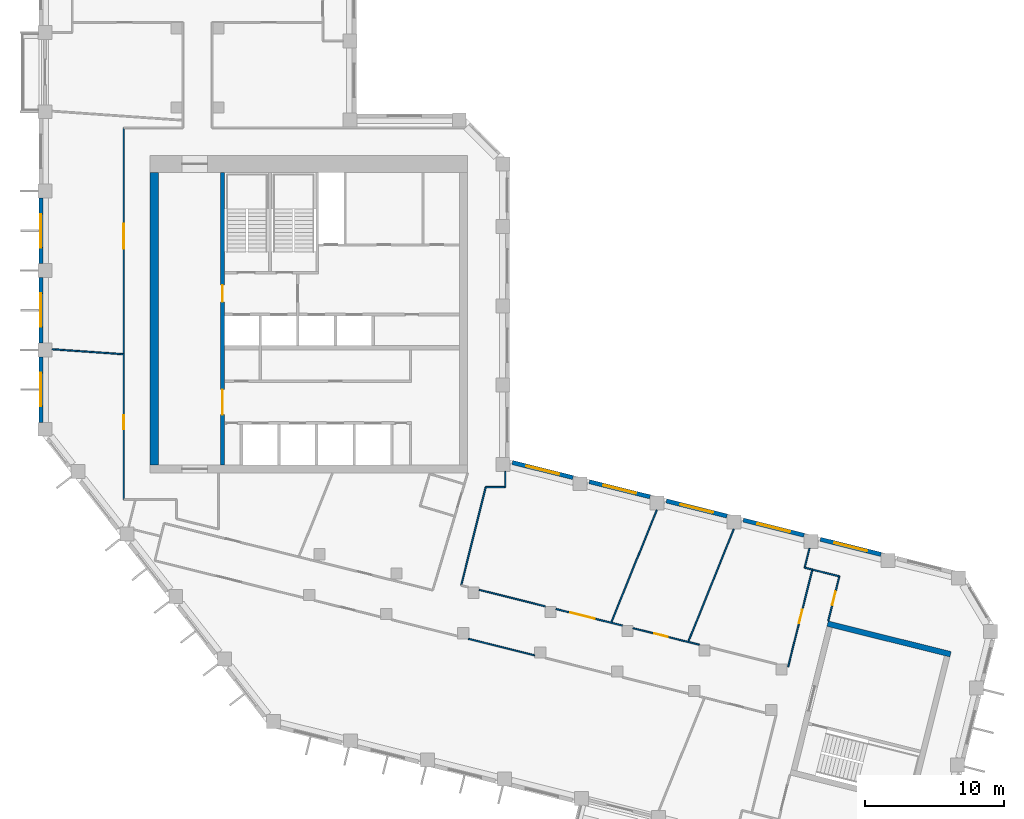
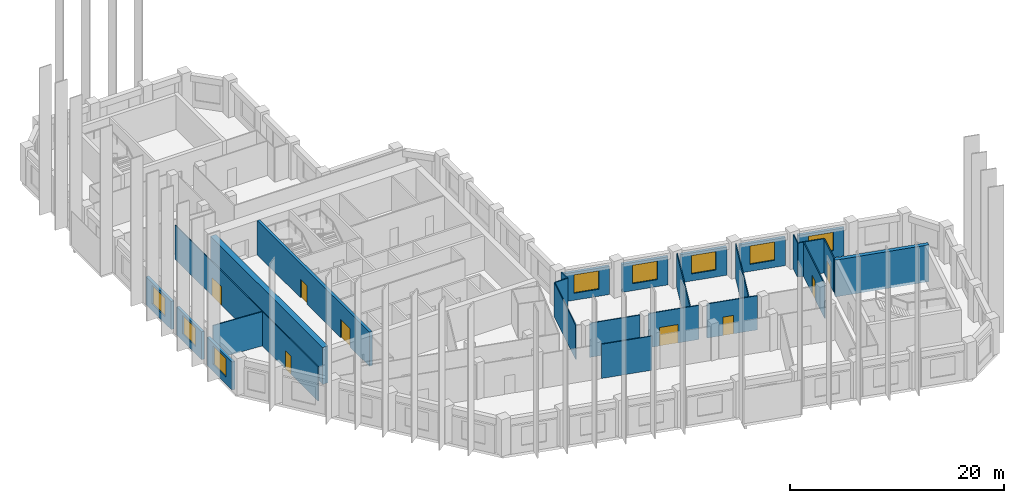
# One storey, part 4 of 9: 27 walls, 8 doors, 8 windows, 16 openings.
"""IFC4 building model written with IfcOpenShell, lengths in metres."""

from ifc_helpers import new_model, si_unit, direction, frame, frame_2d, origin, place, context, subcontext, project, spatial, rectangle, extrude, material, layer, layer_set, type_object, element, fill, save


model = new_model("IFC4")

# Units and contexts
model_context = context("Model", 3, precision=1e-05, world=origin(), true_north=direction((0.0, 1.0)))
body_context = subcontext(model_context, "Body", "Model", "MODEL_VIEW")
ifc_project = project(units=[si_unit("LENGTHUNIT", "METRE"), si_unit("AREAUNIT", "SQUARE_METRE"), si_unit("VOLUMEUNIT", "CUBIC_METRE"), si_unit("PLANEANGLEUNIT", "RADIAN"), si_unit("MASSUNIT", "GRAM", prefix="KILO")], contexts=[model_context])

# Site, building, storey
site_placement = place(None, origin())
site = spatial("IfcSite", under=ifc_project, at=site_placement, CompositionType="ELEMENT")
building_placement = place(site_placement, origin())
building = spatial("IfcBuilding", under=site, at=building_placement, Name="Meshkara Civic Tower", CompositionType="ELEMENT")
storey_placement = place(building_placement, frame((0.0, 0.0, 306.60009765625)))
storey = spatial("IfcBuildingStorey", under=building, at=storey_placement, Name="L70", CompositionType="ELEMENT", Elevation=306.60009765625)

# Wall
ifc_material_1 = material(Name="Concrete C60", Category="concrete")
ifc_layer_1 = layer(ifc_material_1, 0.60009765625)
ifc_layer_set_1 = layer_set([ifc_layer_1], Name="Core ring wall 600 C60")
wall_type_1 = type_object("IfcWallType", Name="Core ring wall 600 C60", PredefinedType="SHEAR", material=ifc_layer_set_1)
wall_1_placement = place(storey_placement, frame((8.300048828125, 14.699951171875, -0.300048828125), z_axis=(0.0, 0.0, 1.0), x_axis=(0.0, 1.0, 0.0)))
element("IfcWall", 1, at=wall_1_placement, inside=storey, type_object=wall_type_1, Name="L70-C003", PredefinedType="SHEAR", context=body_context, shape_type="SweptSolid", body=[
    extrude(rectangle(XDim=21.0, YDim=0.60009765625, at=frame_2d((10.5, 0.0))), origin(), (0.0, 0.0, 1.0), 4.199951171875),
])

# Wall, openings, doors
ifc_material_2 = material(Name="Concrete C60", Category="concrete")
ifc_layer_2 = layer(ifc_material_2, 0.300048828125)
ifc_layer_set_2 = layer_set([ifc_layer_2], Name="Core shear wall 300 C60")
wall_type_2 = type_object("IfcWallType", Name="Core shear wall 300 C60", PredefinedType="SHEAR", material=ifc_layer_set_2)
wall_2_placement = place(storey_placement, frame((13.199951171875, 14.699951171875, 0.0), z_axis=(0.0, 0.0, 1.0), x_axis=(0.0, 1.0, 0.0)))
wall_2 = element("IfcWall", 2, at=wall_2_placement, inside=storey, type_object=wall_type_2, Name="L70-C011", PredefinedType="SHEAR", context=body_context, shape_type="SweptSolid", body=[
    extrude(rectangle(XDim=21.0, YDim=0.300048828125, at=frame_2d((10.5, 0.0))), origin(), (0.0, 0.0, 1.0), 3.89990234375),
])
opening_1_placement = place(wall_2_placement, frame((3.60009765625, 0.0, 0.0)))
opening_1 = element("IfcOpeningElement", 3, at=opening_1_placement, cuts=wall_2, Name="Opening L70-K019", PredefinedType="OPENING", context=body_context, shape_type="SweptSolid", body=[
    extrude(rectangle(XDim=1.800048828125, YDim=2.10009765625, at=frame_2d((0.89990234375, 1.050048828125))), frame((0.0, 0.159912109375, 0.0), z_axis=(0.0, -1.0, 0.0), x_axis=(1.0, 0.0, 0.0)), (0.0, 0.0, 1.0), 0.320068359375),
])
opening_2_placement = place(wall_2_placement, frame((11.699951171875, 0.0, 0.0)))
opening_2 = element("IfcOpeningElement", 4, at=opening_2_placement, cuts=wall_2, Name="Opening L70-K020", PredefinedType="OPENING", context=body_context, shape_type="SweptSolid", body=[
    extrude(rectangle(XDim=1.199951171875, YDim=2.10009765625, at=frame_2d((0.60009765625, 1.050048828125))), frame((0.0, 0.159912109375, 0.0), z_axis=(0.0, -1.0, 0.0), x_axis=(1.0, 0.0, 0.0)), (0.0, 0.0, 1.0), 0.320068359375),
])
ifc_material_3 = material(Name="Fire-rated door leaf in steel frame", Category="steel")
door_type_1 = type_object("IfcDoorType", Name="Core double door 1800 EI 60", OperationType="DOUBLE_DOOR_SINGLE_SWING", PredefinedType="DOOR", material=ifc_material_3)
door_1_placement = place(opening_1_placement, origin())
door_1 = element("IfcDoor", 5, at=door_1_placement, inside=storey, type_object=door_type_1, Name="L70-K019", OperationType="DOUBLE_DOOR_SINGLE_SWING", OverallHeight=2.10009765625, OverallWidth=1.800048828125, PredefinedType="DOOR", context=body_context, shape_type="SweptSolid", body=[
    extrude(rectangle(XDim=1.800048828125, YDim=2.10009765625, at=frame_2d((0.89990234375, 1.050048828125))), frame((0.0, 0.02490234375, 0.0), z_axis=(0.0, -1.0, 0.0), x_axis=(1.0, 0.0, 0.0)), (0.0, 0.0, 1.0), 0.050048828125),
])
fill(opening_1, door_1)
ifc_material_4 = material(Name="Fire-rated door leaf in steel frame", Category="steel")
door_type_2 = type_object("IfcDoorType", Name="Fire-fighting lobby door 1200 EI 120", OperationType="SINGLE_SWING_LEFT", PredefinedType="DOOR", material=ifc_material_4)
door_2_placement = place(opening_2_placement, origin())
door_2 = element("IfcDoor", 6, at=door_2_placement, inside=storey, type_object=door_type_2, Name="L70-K020", OperationType="SINGLE_SWING_LEFT", OverallHeight=2.10009765625, OverallWidth=1.199951171875, PredefinedType="DOOR", context=body_context, shape_type="SweptSolid", body=[
    extrude(rectangle(XDim=1.199951171875, YDim=2.10009765625, at=frame_2d((0.60009765625, 1.050048828125))), frame((0.0, 0.02490234375, 0.0), z_axis=(0.0, -1.0, 0.0), x_axis=(1.0, 0.0, 0.0)), (0.0, 0.0, 1.0), 0.050048828125),
])
fill(opening_2, door_2)

ifc_material_5 = material(Name="Corridor wall 100")
ifc_layer_3 = layer(ifc_material_5, 0.10009765625)
ifc_layer_set_3 = layer_set([ifc_layer_3], Name="Corridor wall 100")
wall_type_3 = type_object("IfcWallType", Name="Corridor wall 100", PredefinedType="PARTITIONING", material=ifc_layer_set_3)
wall_3_placement = place(storey_placement, frame((6.10009765625, 38.89990234375, 0.0), z_axis=(0.0, 0.0, 1.0), x_axis=(0.0, -1.0, 0.0)))
wall_3 = element("IfcWall", 7, at=wall_3_placement, inside=storey, type_object=wall_type_3, Name="L70-W005", PredefinedType="PARTITIONING", context=body_context, shape_type="SweptSolid", body=[
    extrude(rectangle(XDim=26.699951171875, YDim=0.10009765625, at=frame_2d((13.35009765625, 0.0))), origin(), (0.0, 0.0, 1.0), 3.89990234375),
])
opening_3_placement = place(wall_3_placement, frame((20.635986328125, 0.0, 0.0)))
opening_3 = element("IfcOpeningElement", 8, at=opening_3_placement, cuts=wall_3, Name="Opening L70-D011", PredefinedType="OPENING", context=body_context, shape_type="SweptSolid", body=[
    extrude(rectangle(XDim=1.0, YDim=2.10009765625, at=frame_2d((0.5, 1.050048828125))), frame((0.0, 0.06005859375, 0.0), z_axis=(0.0, -1.0, 0.0), x_axis=(1.0, 0.0, 0.0)), (0.0, 0.0, 1.0), 0.1201171875),
])
opening_4_placement = place(wall_3_placement, frame((6.8798828125, 0.0, 0.0)))
opening_4 = element("IfcOpeningElement", 9, at=opening_4_placement, cuts=wall_3, Name="Opening L70-D013", PredefinedType="OPENING", context=body_context, shape_type="SweptSolid", body=[
    extrude(rectangle(XDim=1.800048828125, YDim=2.10009765625, at=frame_2d((0.89990234375, 1.050048828125))), frame((0.0, 0.06005859375, 0.0), z_axis=(0.0, -1.0, 0.0), x_axis=(1.0, 0.0, 0.0)), (0.0, 0.0, 1.0), 0.1201171875),
])
ifc_material_6 = material(Name="Door 1000 x 2100")
door_type_3 = type_object("IfcDoorType", Name="Door 1000 x 2100", OperationType="SINGLE_SWING_LEFT", PredefinedType="DOOR", material=ifc_material_6)
door_3_placement = place(opening_3_placement, origin())
door_3 = element("IfcDoor", 10, at=door_3_placement, inside=storey, type_object=door_type_3, Name="L70-D011", OperationType="SINGLE_SWING_RIGHT", OverallHeight=2.10009765625, OverallWidth=1.0, PredefinedType="DOOR", context=body_context, shape_type="SweptSolid", body=[
    extrude(rectangle(XDim=1.0, YDim=2.10009765625, at=frame_2d((0.5, 1.050048828125))), frame((0.0, 0.02490234375, 0.0), z_axis=(0.0, -1.0, 0.0), x_axis=(1.0, 0.0, 0.0)), (0.0, 0.0, 1.0), 0.050048828125),
])
fill(opening_3, door_3)
ifc_material_7 = material(Name="Door pair 1800 x 2100")
door_type_4 = type_object("IfcDoorType", Name="Door pair 1800 x 2100", OperationType="SINGLE_SWING_LEFT", PredefinedType="DOOR", material=ifc_material_7)
door_4_placement = place(opening_4_placement, origin())
door_4 = element("IfcDoor", 11, at=door_4_placement, inside=storey, type_object=door_type_4, Name="L70-D013", OperationType="DOUBLE_DOOR_SINGLE_SWING", OverallHeight=2.10009765625, OverallWidth=1.800048828125, PredefinedType="DOOR", context=body_context, shape_type="SweptSolid", body=[
    extrude(rectangle(XDim=1.800048828125, YDim=2.10009765625, at=frame_2d((0.89990234375, 1.050048828125))), frame((0.0, 0.02490234375, 0.0), z_axis=(0.0, -1.0, 0.0), x_axis=(1.0, 0.0, 0.0)), (0.0, 0.0, 1.0), 0.050048828125),
])
fill(opening_4, door_4)

# Walls
wall_4_placement = place(storey_placement, frame((30.3359375, 6.0400390625, 0.0), z_axis=(0.0, 0.0, 1.0), x_axis=(0.2420145387, 0.970272623059, 0.0)))
element("IfcWall", 12, at=wall_4_placement, inside=storey, type_object=wall_type_3, Name="L70-W021", PredefinedType="PARTITIONING", context=body_context, shape_type="SweptSolid", body=[
    extrude(rectangle(XDim=7.2763671875, YDim=0.10009765625, at=frame_2d((3.63818359375, 0.0))), origin(), (0.0, 0.0, 1.0), 3.89990234375),
])
wall_5_placement = place(storey_placement, frame((30.85107421875, 2.201904296875, 0.0), z_axis=(0.0, 0.0, 1.0), x_axis=(0.970297297406, -0.241915594055, 0.0)))
element("IfcWall", 13, at=wall_5_placement, inside=storey, type_object=wall_type_3, Name="L70-W023", PredefinedType="PARTITIONING", context=body_context, shape_type="SweptSolid", body=[
    extrude(rectangle(XDim=4.91064453125, YDim=0.10009765625, at=frame_2d((2.455322265625, 0.0))), origin(), (0.0, 0.0, 1.0), 3.89990234375),
])
wall_6_placement = place(storey_placement, frame((32.096923828125, 13.10009765625, 0.0), z_axis=(0.0, 0.0, 1.0), x_axis=(1.0, 0.0, 0.0)))
element("IfcWall", 14, at=wall_6_placement, inside=storey, type_object=wall_type_3, Name="L70-W025", PredefinedType="PARTITIONING", context=body_context, shape_type="SweptSolid", body=[
    extrude(rectangle(XDim=1.403076171875, YDim=0.10009765625, at=frame_2d((0.70166015625, 0.0))), origin(), (0.0, 0.0, 1.0), 3.89990234375),
])
wall_7_placement = place(storey_placement, frame((33.5, 13.10009765625, 0.0), z_axis=(0.0, 0.0, 1.0), x_axis=(0.0, 1.0, 0.0)))
element("IfcWall", 15, at=wall_7_placement, inside=storey, type_object=wall_type_3, Name="L70-W026", PredefinedType="PARTITIONING", context=body_context, shape_type="SweptSolid", body=[
    extrude(rectangle(XDim=1.118896484375, YDim=0.10009765625, at=frame_2d((0.5595703125, 0.0))), origin(), (0.0, 0.0, 1.0), 3.89990234375),
])
wall_8_placement = place(storey_placement, frame((36.376953125, 4.533935546875, 0.0), z_axis=(0.0, 0.0, 1.0), x_axis=(-0.970308932068, 0.2418689239, 0.0)))
element("IfcWall", 16, at=wall_8_placement, inside=storey, type_object=wall_type_3, Name="L70-W028", PredefinedType="PARTITIONING", context=body_context, shape_type="SweptSolid", body=[
    extrude(rectangle(XDim=4.91162109375, YDim=0.10009765625, at=frame_2d((2.455810546875, 0.0))), origin(), (0.0, 0.0, 1.0), 3.89990234375),
])

# Wall, opening, door
wall_9_placement = place(storey_placement, frame((37.14208984375, 4.343017578125, 0.0), z_axis=(0.0, 0.0, 1.0), x_axis=(0.970320559999, -0.241822271189, 0.0)))
wall_9 = element("IfcWall", 17, at=wall_9_placement, inside=storey, type_object=wall_type_3, Name="L70-W029", PredefinedType="PARTITIONING", context=body_context, shape_type="SweptSolid", body=[
    extrude(rectangle(XDim=4.91259765625, YDim=0.10009765625, at=frame_2d((2.456298828125, 0.0))), origin(), (0.0, 0.0, 1.0), 3.89990234375),
])
opening_5_placement = place(wall_9_placement, frame((1.080078125, 0.0, 0.0)))
opening_5 = element("IfcOpeningElement", 18, at=opening_5_placement, cuts=wall_9, Name="Opening L70-D004", PredefinedType="OPENING", context=body_context, shape_type="SweptSolid", body=[
    extrude(rectangle(XDim=1.800048828125, YDim=2.10009765625, at=frame_2d((0.89990234375, 1.050048828125))), frame((0.0, 0.06005859375, 0.0), z_axis=(0.0, -1.0, 0.0), x_axis=(1.0, 0.0, 0.0)), (0.0, 0.0, 1.0), 0.1201171875),
])
door_5_placement = place(opening_5_placement, origin())
door_5 = element("IfcDoor", 19, at=door_5_placement, inside=storey, type_object=door_type_4, Name="L70-D004", OperationType="DOUBLE_DOOR_SINGLE_SWING", OverallHeight=2.10009765625, OverallWidth=1.800048828125, PredefinedType="DOOR", context=body_context, shape_type="SweptSolid", body=[
    extrude(rectangle(XDim=1.800048828125, YDim=2.10009765625, at=frame_2d((0.89990234375, 1.050048828125))), frame((0.0, 0.02490234375, 0.0), z_axis=(0.0, -1.0, 0.0), x_axis=(1.0, 0.0, 0.0)), (0.0, 0.0, 1.0), 0.050048828125),
])
fill(opening_5, door_5)

wall_10_placement = place(storey_placement, frame((42.672119140625, 2.965087890625, 0.0), z_axis=(0.0, 0.0, 1.0), x_axis=(0.970273873313, -0.242009526187, 0.0)))
wall_10 = element("IfcWall", 20, at=wall_10_placement, inside=storey, type_object=wall_type_3, Name="L70-W031", PredefinedType="PARTITIONING", context=body_context, shape_type="SweptSolid", body=[
    extrude(rectangle(XDim=4.913818359375, YDim=0.10009765625, at=frame_2d((2.45703125, 0.0))), origin(), (0.0, 0.0, 1.0), 3.89990234375),
])
opening_6_placement = place(wall_10_placement, frame((1.580078125, 0.0, 0.0)))
opening_6 = element("IfcOpeningElement", 21, at=opening_6_placement, cuts=wall_10, Name="Opening L70-D005", PredefinedType="OPENING", context=body_context, shape_type="SweptSolid", body=[
    extrude(rectangle(XDim=1.0, YDim=2.10009765625, at=frame_2d((0.5, 1.050048828125))), frame((0.0, 0.06005859375, 0.0), z_axis=(0.0, -1.0, 0.0), x_axis=(1.0, 0.0, 0.0)), (0.0, 0.0, 1.0), 0.1201171875),
])
door_6_placement = place(opening_6_placement, origin())
door_6 = element("IfcDoor", 22, at=door_6_placement, inside=storey, type_object=door_type_3, Name="L70-D005", OperationType="SINGLE_SWING_RIGHT", OverallHeight=2.10009765625, OverallWidth=1.0, PredefinedType="DOOR", context=body_context, shape_type="SweptSolid", body=[
    extrude(rectangle(XDim=1.0, YDim=2.10009765625, at=frame_2d((0.5, 1.050048828125))), frame((0.0, 0.02490234375, 0.0), z_axis=(0.0, -1.0, 0.0), x_axis=(1.0, 0.0, 0.0)), (0.0, 0.0, 1.0), 0.050048828125),
])
fill(opening_6, door_6)

wall_11_placement = place(storey_placement, frame((55.555908203125, 7.173095703125, 0.0), z_axis=(0.0, 0.0, 1.0), x_axis=(-0.241937193493, -0.970291911955, 0.0)))
wall_11 = element("IfcWall", 23, at=wall_11_placement, inside=storey, type_object=wall_type_3, Name="L70-W037", PredefinedType="PARTITIONING", context=body_context, shape_type="SweptSolid", body=[
    extrude(rectangle(XDim=7.199951171875, YDim=0.10009765625, at=frame_2d((3.60009765625, 0.0))), origin(), (0.0, 0.0, 1.0), 3.89990234375),
])
opening_7_placement = place(wall_11_placement, frame((2.97998046875, 0.0, 0.0)))
opening_7 = element("IfcOpeningElement", 24, at=opening_7_placement, cuts=wall_11, Name="Opening L70-D006", PredefinedType="OPENING", context=body_context, shape_type="SweptSolid", body=[
    extrude(rectangle(XDim=1.0, YDim=2.10009765625, at=frame_2d((0.5, 1.050048828125))), frame((0.0, 0.06005859375, 0.0), z_axis=(0.0, -1.0, 0.0), x_axis=(1.0, 0.0, 0.0)), (0.0, 0.0, 1.0), 0.1201171875),
])
door_7_placement = place(opening_7_placement, origin())
door_7 = element("IfcDoor", 25, at=door_7_placement, inside=storey, type_object=door_type_3, Name="L70-D006", OperationType="SINGLE_SWING_RIGHT", OverallHeight=2.10009765625, OverallWidth=1.0, PredefinedType="DOOR", context=body_context, shape_type="SweptSolid", body=[
    extrude(rectangle(XDim=1.0, YDim=2.10009765625, at=frame_2d((0.5, 1.050048828125))), frame((0.0, 0.02490234375, 0.0), z_axis=(0.0, -1.0, 0.0), x_axis=(1.0, 0.0, 0.0)), (0.0, 0.0, 1.0), 0.050048828125),
])
fill(opening_7, door_7)

wall_12_placement = place(storey_placement, frame((56.697998046875, 3.487060546875, 0.0), z_axis=(0.0, 0.0, 1.0), x_axis=(0.241856645367, 0.970311992656, 0.0)))
wall_12 = element("IfcWall", 26, at=wall_12_placement, inside=storey, type_object=wall_type_3, Name="L70-W038", PredefinedType="PARTITIONING", context=body_context, shape_type="SweptSolid", body=[
    extrude(rectangle(XDim=3.2998046875, YDim=0.10009765625, at=frame_2d((1.64990234375, 0.0))), origin(), (0.0, 0.0, 1.0), 3.89990234375),
])
opening_8_placement = place(wall_12_placement, frame((1.179931640625, 0.0, 0.0)))
opening_8 = element("IfcOpeningElement", 27, at=opening_8_placement, cuts=wall_12, Name="Opening L70-D007", PredefinedType="OPENING", context=body_context, shape_type="SweptSolid", body=[
    extrude(rectangle(XDim=1.0, YDim=2.10009765625, at=frame_2d((0.5, 1.050048828125))), frame((0.0, 0.06005859375, 0.0), z_axis=(0.0, -1.0, 0.0), x_axis=(1.0, 0.0, 0.0)), (0.0, 0.0, 1.0), 0.1201171875),
])
door_8_placement = place(opening_8_placement, origin())
door_8 = element("IfcDoor", 28, at=door_8_placement, inside=storey, type_object=door_type_3, Name="L70-D007", OperationType="SINGLE_SWING_LEFT", OverallHeight=2.10009765625, OverallWidth=1.0, PredefinedType="DOOR", context=body_context, shape_type="SweptSolid", body=[
    extrude(rectangle(XDim=1.0, YDim=2.10009765625, at=frame_2d((0.5, 1.050048828125))), frame((0.0, 0.02490234375, 0.0), z_axis=(0.0, -1.0, 0.0), x_axis=(1.0, 0.0, 0.0)), (0.0, 0.0, 1.0), 0.050048828125),
])
fill(opening_8, door_8)

# Wall
wall_13_placement = place(storey_placement, frame((57.49609375, 6.68896484375, 0.0), z_axis=(0.0, 0.0, 1.0), x_axis=(-0.970250131019, 0.242104694829, 0.0)))
element("IfcWall", 29, at=wall_13_placement, inside=storey, type_object=wall_type_3, Name="L70-W039", PredefinedType="PARTITIONING", context=body_context, shape_type="SweptSolid", body=[
    extrude(rectangle(XDim=1.999755859375, YDim=0.10009765625, at=frame_2d((1.0, 0.0))), origin(), (0.0, 0.0, 1.0), 3.89990234375),
])

# Wall, opening, window
ifc_material_8 = material(Name="Insulated infill panel with bronze anodised aluminium cladding", Category="aluminium")
ifc_layer_4 = layer(ifc_material_8, 0.300048828125)
ifc_layer_set_4 = layer_set([ifc_layer_4], Name="EXTERNAL INFILL WALL 300")
wall_type_4 = type_object("IfcWallType", Name="EXTERNAL INFILL WALL 300", PredefinedType="SOLIDWALL", material=ifc_layer_set_4)
wall_14_placement = place(storey_placement, frame((60.488037109375, 8.261962890625, 0.0), z_axis=(0.0, 0.0, 1.0), x_axis=(-0.970276766004, 0.241997928406, 0.0)))
wall_14 = element("IfcWall", 30, at=wall_14_placement, inside=storey, type_object=wall_type_4, Name="External wall", PredefinedType="SOLIDWALL", context=body_context, shape_type="SweptSolid", body=[
    extrude(rectangle(XDim=4.4873046875, YDim=0.300048828125, at=frame_2d((2.24365234375, 0.0))), origin(), (0.0, 0.0, 1.0), 3.199951171875),
])
opening_9_placement = place(wall_14_placement, frame((1.0439453125, 0.0, 0.800048828125)))
opening_9 = element("IfcOpeningElement", 31, at=opening_9_placement, cuts=wall_14, Name="Opening W7", PredefinedType="OPENING", context=body_context, shape_type="SweptSolid", body=[
    extrude(rectangle(XDim=2.39990234375, YDim=2.10009765625, at=frame_2d((1.199951171875, 1.050048828125))), frame((0.0, 0.159912109375, 0.0), z_axis=(0.0, -1.0, 0.0), x_axis=(1.0, 0.0, 0.0)), (0.0, 0.0, 1.0), 0.320068359375),
])
ifc_material_9 = material(Name="Tinted double glazing", Category="glass")
window_type = type_object("IfcWindowType", Name="WINDOW 2400x2100", PartitioningType="DOUBLE_PANEL_VERTICAL", PredefinedType="WINDOW", material=ifc_material_9)
window_1_placement = place(opening_9_placement, origin())
window_1 = element("IfcWindow", 32, at=window_1_placement, inside=storey, type_object=window_type, Name="Window", OverallHeight=2.10009765625, OverallWidth=2.39990234375, PartitioningType="DOUBLE_PANEL_VERTICAL", PredefinedType="WINDOW", context=body_context, shape_type="SweptSolid", body=[
    extrude(rectangle(XDim=2.39990234375, YDim=2.10009765625, at=frame_2d((1.199951171875, 1.050048828125))), frame((0.0, 0.030029296875, 0.0), z_axis=(0.0, -1.0, 0.0), x_axis=(1.0, 0.0, 0.0)), (0.0, 0.0, 1.0), 0.06005859375),
])
fill(opening_9, window_1)

wall_15_placement = place(storey_placement, frame((54.9580078125, 9.64111328125, 0.0), z_axis=(0.0, 0.0, 1.0), x_axis=(-0.970289506684, 0.241946839653, 0.0)))
wall_15 = element("IfcWall", 33, at=wall_15_placement, inside=storey, type_object=wall_type_4, Name="External wall", PredefinedType="SOLIDWALL", context=body_context, shape_type="SweptSolid", body=[
    extrude(rectangle(XDim=4.48828125, YDim=0.300048828125, at=frame_2d((2.244140625, 0.0))), origin(), (0.0, 0.0, 1.0), 3.199951171875),
])
opening_10_placement = place(wall_15_placement, frame((1.0439453125, 0.0, 0.800048828125)))
opening_10 = element("IfcOpeningElement", 34, at=opening_10_placement, cuts=wall_15, Name="Opening W7", PredefinedType="OPENING", context=body_context, shape_type="SweptSolid", body=[
    extrude(rectangle(XDim=2.39990234375, YDim=2.10009765625, at=frame_2d((1.199951171875, 1.050048828125))), frame((0.0, 0.159912109375, 0.0), z_axis=(0.0, -1.0, 0.0), x_axis=(1.0, 0.0, 0.0)), (0.0, 0.0, 1.0), 0.320068359375),
])
window_2_placement = place(opening_10_placement, origin())
window_2 = element("IfcWindow", 35, at=window_2_placement, inside=storey, type_object=window_type, Name="Window", OverallHeight=2.10009765625, OverallWidth=2.39990234375, PartitioningType="DOUBLE_PANEL_VERTICAL", PredefinedType="WINDOW", context=body_context, shape_type="SweptSolid", body=[
    extrude(rectangle(XDim=2.39990234375, YDim=2.10009765625, at=frame_2d((1.199951171875, 1.050048828125))), frame((0.0, 0.030029296875, 0.0), z_axis=(0.0, -1.0, 0.0), x_axis=(1.0, 0.0, 0.0)), (0.0, 0.0, 1.0), 0.06005859375),
])
fill(opening_10, window_2)

wall_16_placement = place(storey_placement, frame((49.427001953125, 11.02001953125, 0.0), z_axis=(0.0, 0.0, 1.0), x_axis=(-0.970289506684, 0.241946839653, 0.0)))
wall_16 = element("IfcWall", 36, at=wall_16_placement, inside=storey, type_object=wall_type_4, Name="External wall", PredefinedType="SOLIDWALL", context=body_context, shape_type="SweptSolid", body=[
    extrude(rectangle(XDim=4.48828125, YDim=0.300048828125, at=frame_2d((2.244140625, 0.0))), origin(), (0.0, 0.0, 1.0), 3.199951171875),
])
opening_11_placement = place(wall_16_placement, frame((1.0439453125, 0.0, 0.800048828125)))
opening_11 = element("IfcOpeningElement", 37, at=opening_11_placement, cuts=wall_16, Name="Opening W7", PredefinedType="OPENING", context=body_context, shape_type="SweptSolid", body=[
    extrude(rectangle(XDim=2.39990234375, YDim=2.10009765625, at=frame_2d((1.199951171875, 1.050048828125))), frame((0.0, 0.159912109375, 0.0), z_axis=(0.0, -1.0, 0.0), x_axis=(1.0, 0.0, 0.0)), (0.0, 0.0, 1.0), 0.320068359375),
])
window_3_placement = place(opening_11_placement, origin())
window_3 = element("IfcWindow", 38, at=window_3_placement, inside=storey, type_object=window_type, Name="Window", OverallHeight=2.10009765625, OverallWidth=2.39990234375, PartitioningType="DOUBLE_PANEL_VERTICAL", PredefinedType="WINDOW", context=body_context, shape_type="SweptSolid", body=[
    extrude(rectangle(XDim=2.39990234375, YDim=2.10009765625, at=frame_2d((1.199951171875, 1.050048828125))), frame((0.0, 0.030029296875, 0.0), z_axis=(0.0, -1.0, 0.0), x_axis=(1.0, 0.0, 0.0)), (0.0, 0.0, 1.0), 0.06005859375),
])
fill(opening_11, window_3)

wall_17_placement = place(storey_placement, frame((43.89599609375, 12.39892578125, 0.0), z_axis=(0.0, 0.0, 1.0), x_axis=(-0.970263990019, 0.242049147224, 0.0)))
wall_17 = element("IfcWall", 39, at=wall_17_placement, inside=storey, type_object=wall_type_4, Name="External wall", PredefinedType="SOLIDWALL", context=body_context, shape_type="SweptSolid", body=[
    extrude(rectangle(XDim=4.487548828125, YDim=0.300048828125, at=frame_2d((2.24365234375, 0.0))), origin(), (0.0, 0.0, 1.0), 3.199951171875),
])
opening_12_placement = place(wall_17_placement, frame((1.0439453125, 0.0, 0.800048828125)))
opening_12 = element("IfcOpeningElement", 40, at=opening_12_placement, cuts=wall_17, Name="Opening W7", PredefinedType="OPENING", context=body_context, shape_type="SweptSolid", body=[
    extrude(rectangle(XDim=2.39990234375, YDim=2.10009765625, at=frame_2d((1.199951171875, 1.050048828125))), frame((0.0, 0.159912109375, 0.0), z_axis=(0.0, -1.0, 0.0), x_axis=(1.0, 0.0, 0.0)), (0.0, 0.0, 1.0), 0.320068359375),
])
window_4_placement = place(opening_12_placement, origin())
window_4 = element("IfcWindow", 41, at=window_4_placement, inside=storey, type_object=window_type, Name="Window", OverallHeight=2.10009765625, OverallWidth=2.39990234375, PartitioningType="DOUBLE_PANEL_VERTICAL", PredefinedType="WINDOW", context=body_context, shape_type="SweptSolid", body=[
    extrude(rectangle(XDim=2.39990234375, YDim=2.10009765625, at=frame_2d((1.199951171875, 1.050048828125))), frame((0.0, 0.030029296875, 0.0), z_axis=(0.0, -1.0, 0.0), x_axis=(1.0, 0.0, 0.0)), (0.0, 0.0, 1.0), 0.06005859375),
])
fill(opening_12, window_4)

wall_18_placement = place(storey_placement, frame((38.365966796875, 13.778076171875, 0.0), z_axis=(0.0, 0.0, 1.0), x_axis=(-0.970289506684, 0.241946839653, 0.0)))
wall_18 = element("IfcWall", 42, at=wall_18_placement, inside=storey, type_object=wall_type_4, Name="External wall", PredefinedType="SOLIDWALL", context=body_context, shape_type="SweptSolid", body=[
    extrude(rectangle(XDim=4.48828125, YDim=0.300048828125, at=frame_2d((2.244140625, 0.0))), origin(), (0.0, 0.0, 1.0), 3.199951171875),
])
opening_13_placement = place(wall_18_placement, frame((1.0439453125, 0.0, 0.800048828125)))
opening_13 = element("IfcOpeningElement", 43, at=opening_13_placement, cuts=wall_18, Name="Opening W7", PredefinedType="OPENING", context=body_context, shape_type="SweptSolid", body=[
    extrude(rectangle(XDim=2.39990234375, YDim=2.10009765625, at=frame_2d((1.199951171875, 1.050048828125))), frame((0.0, 0.159912109375, 0.0), z_axis=(0.0, -1.0, 0.0), x_axis=(1.0, 0.0, 0.0)), (0.0, 0.0, 1.0), 0.320068359375),
])
window_5_placement = place(opening_13_placement, origin())
window_5 = element("IfcWindow", 44, at=window_5_placement, inside=storey, type_object=window_type, Name="Window", OverallHeight=2.10009765625, OverallWidth=2.39990234375, PartitioningType="DOUBLE_PANEL_VERTICAL", PredefinedType="WINDOW", context=body_context, shape_type="SweptSolid", body=[
    extrude(rectangle(XDim=2.39990234375, YDim=2.10009765625, at=frame_2d((1.199951171875, 1.050048828125))), frame((0.0, 0.030029296875, 0.0), z_axis=(0.0, -1.0, 0.0), x_axis=(1.0, 0.0, 0.0)), (0.0, 0.0, 1.0), 0.06005859375),
])
fill(opening_13, window_5)

wall_19_placement = place(storey_placement, frame((0.14990234375, 33.85498046875, 0.0), z_axis=(0.0, 0.0, 1.0), x_axis=(0.0, -1.0, 0.0)))
wall_19 = element("IfcWall", 45, at=wall_19_placement, inside=storey, type_object=wall_type_4, Name="External wall", PredefinedType="SOLIDWALL", context=body_context, shape_type="SweptSolid", body=[
    extrude(rectangle(XDim=4.699951171875, YDim=0.300048828125, at=frame_2d((2.35009765625, 0.0))), origin(), (0.0, 0.0, 1.0), 3.199951171875),
])
opening_14_placement = place(wall_19_placement, frame((1.14990234375, 0.0, 0.800048828125)))
opening_14 = element("IfcOpeningElement", 46, at=opening_14_placement, cuts=wall_19, Name="Opening W7", PredefinedType="OPENING", context=body_context, shape_type="SweptSolid", body=[
    extrude(rectangle(XDim=2.39990234375, YDim=2.10009765625, at=frame_2d((1.199951171875, 1.050048828125))), frame((0.0, 0.159912109375, 0.0), z_axis=(0.0, -1.0, 0.0), x_axis=(1.0, 0.0, 0.0)), (0.0, 0.0, 1.0), 0.320068359375),
])
window_6_placement = place(opening_14_placement, origin())
window_6 = element("IfcWindow", 47, at=window_6_placement, inside=storey, type_object=window_type, Name="Window", OverallHeight=2.10009765625, OverallWidth=2.39990234375, PartitioningType="DOUBLE_PANEL_VERTICAL", PredefinedType="WINDOW", context=body_context, shape_type="SweptSolid", body=[
    extrude(rectangle(XDim=2.39990234375, YDim=2.10009765625, at=frame_2d((1.199951171875, 1.050048828125))), frame((0.0, 0.030029296875, 0.0), z_axis=(0.0, -1.0, 0.0), x_axis=(1.0, 0.0, 0.0)), (0.0, 0.0, 1.0), 0.06005859375),
])
fill(opening_14, window_6)

wall_20_placement = place(storey_placement, frame((0.14990234375, 28.155029296875, 0.0), z_axis=(0.0, 0.0, 1.0), x_axis=(0.0, -1.0, 0.0)))
wall_20 = element("IfcWall", 48, at=wall_20_placement, inside=storey, type_object=wall_type_4, Name="External wall", PredefinedType="SOLIDWALL", context=body_context, shape_type="SweptSolid", body=[
    extrude(rectangle(XDim=4.699951171875, YDim=0.300048828125, at=frame_2d((2.35009765625, 0.0))), origin(), (0.0, 0.0, 1.0), 3.199951171875),
])
opening_15_placement = place(wall_20_placement, frame((1.14990234375, 0.0, 0.800048828125)))
opening_15 = element("IfcOpeningElement", 49, at=opening_15_placement, cuts=wall_20, Name="Opening W7", PredefinedType="OPENING", context=body_context, shape_type="SweptSolid", body=[
    extrude(rectangle(XDim=2.39990234375, YDim=2.10009765625, at=frame_2d((1.199951171875, 1.050048828125))), frame((0.0, 0.159912109375, 0.0), z_axis=(0.0, -1.0, 0.0), x_axis=(1.0, 0.0, 0.0)), (0.0, 0.0, 1.0), 0.320068359375),
])
window_7_placement = place(opening_15_placement, origin())
window_7 = element("IfcWindow", 50, at=window_7_placement, inside=storey, type_object=window_type, Name="Window", OverallHeight=2.10009765625, OverallWidth=2.39990234375, PartitioningType="DOUBLE_PANEL_VERTICAL", PredefinedType="WINDOW", context=body_context, shape_type="SweptSolid", body=[
    extrude(rectangle(XDim=2.39990234375, YDim=2.10009765625, at=frame_2d((1.199951171875, 1.050048828125))), frame((0.0, 0.030029296875, 0.0), z_axis=(0.0, -1.0, 0.0), x_axis=(1.0, 0.0, 0.0)), (0.0, 0.0, 1.0), 0.06005859375),
])
fill(opening_15, window_7)

wall_21_placement = place(storey_placement, frame((0.14990234375, 22.455078125, 0.0), z_axis=(0.0, 0.0, 1.0), x_axis=(0.0, -1.0, 0.0)))
wall_21 = element("IfcWall", 51, at=wall_21_placement, inside=storey, type_object=wall_type_4, Name="External wall", PredefinedType="SOLIDWALL", context=body_context, shape_type="SweptSolid", body=[
    extrude(rectangle(XDim=4.7001953125, YDim=0.300048828125, at=frame_2d((2.35009765625, 0.0))), origin(), (0.0, 0.0, 1.0), 3.199951171875),
])
opening_16_placement = place(wall_21_placement, frame((1.14990234375, 0.0, 0.800048828125)))
opening_16 = element("IfcOpeningElement", 52, at=opening_16_placement, cuts=wall_21, Name="Opening W7", PredefinedType="OPENING", context=body_context, shape_type="SweptSolid", body=[
    extrude(rectangle(XDim=2.39990234375, YDim=2.10009765625, at=frame_2d((1.199951171875, 1.050048828125))), frame((0.0, 0.159912109375, 0.0), z_axis=(0.0, -1.0, 0.0), x_axis=(1.0, 0.0, 0.0)), (0.0, 0.0, 1.0), 0.320068359375),
])
window_8_placement = place(opening_16_placement, origin())
window_8 = element("IfcWindow", 53, at=window_8_placement, inside=storey, type_object=window_type, Name="Window", OverallHeight=2.10009765625, OverallWidth=2.39990234375, PartitioningType="DOUBLE_PANEL_VERTICAL", PredefinedType="WINDOW", context=body_context, shape_type="SweptSolid", body=[
    extrude(rectangle(XDim=2.39990234375, YDim=2.10009765625, at=frame_2d((1.199951171875, 1.050048828125))), frame((0.0, 0.030029296875, 0.0), z_axis=(0.0, -1.0, 0.0), x_axis=(1.0, 0.0, 0.0)), (0.0, 0.0, 1.0), 0.06005859375),
])
fill(opening_16, window_8)

# Walls
ifc_material_10 = material(Name="Concrete C60", Category="concrete")
ifc_layer_5 = layer(ifc_material_10, 0.39990234375)
ifc_layer_set_5 = layer_set([ifc_layer_5], Name="End core ring wall 400 C60")
wall_type_5 = type_object("IfcWallType", Name="End core ring wall 400 C60", PredefinedType="SHEAR", material=ifc_layer_set_5)
wall_22_placement = place(storey_placement, frame((56.64892578125, 3.29296875, -0.300048828125), z_axis=(0.0, 0.0, 1.0), x_axis=(0.970312696888, -0.241853820019, 0.0)))
element("IfcWall", 54, at=wall_22_placement, inside=storey, type_object=wall_type_5, Name="L70-C033", PredefinedType="SHEAR", context=body_context, shape_type="SweptSolid", body=[
    extrude(rectangle(XDim=9.100341796875, YDim=0.39990234375, at=frame_2d((4.55029296875, 0.0))), origin(), (0.0, 0.0, 1.0), 4.199951171875),
])
ifc_material_11 = material(Name="Partition 100")
ifc_layer_6 = layer(ifc_material_11, 0.10009765625)
ifc_layer_set_6 = layer_set([ifc_layer_6], Name="Partition 100")
wall_type_6 = type_object("IfcWallType", Name="Partition 100", PredefinedType="PARTITIONING", material=ifc_layer_set_6)
wall_23_placement = place(storey_placement, frame((6.047119140625, 22.64404296875, 0.0), z_axis=(0.0, 0.0, 1.0), x_axis=(-0.997570469691, 0.069664610825, 0.0)))
element("IfcWall", 55, at=wall_23_placement, inside=storey, type_object=wall_type_6, Name="L70-W042", PredefinedType="PARTITIONING", context=body_context, shape_type="SweptSolid", body=[
    extrude(rectangle(XDim=5.109619140625, YDim=0.10009765625, at=frame_2d((2.5546875, 0.0))), origin(), (0.0, 0.0, 1.0), 3.89990234375),
])
for number, where, z_axis, x_axis, name in (
    (56, (41.12890625, 3.407958984375, 0.0), (0.0, 0.0, 1.0), (0.374562973491, 0.927201476967, 0.0), "L70-W052"),
    (57, (46.659912109375, 2.029052734375, 0.0), (0.0, 0.0, 1.0), (0.374562973491, 0.927201476967, 0.0), "L70-W054"),
):
    element("IfcWall", number, at=place(storey_placement, frame(where, z_axis=z_axis, x_axis=x_axis)), inside=storey, type_object=wall_type_6, Name=name, PredefinedType="PARTITIONING", context=body_context, shape_type="SweptSolid", body=[
        extrude(rectangle(XDim=8.685302734375, YDim=0.10009765625, at=frame_2d((4.3427734375, 0.0))), origin(), (0.0, 0.0, 1.0), 3.89990234375),
    ])
wall_24_placement = place(storey_placement, frame((55.0009765625, 7.31103515625, 0.0), z_axis=(0.0, 0.0, 1.0), x_axis=(0.24185476373, 0.970312461664, 0.0)))
element("IfcWall", 58, at=wall_24_placement, inside=storey, type_object=wall_type_6, Name="L70-W057", PredefinedType="PARTITIONING", context=body_context, shape_type="SweptSolid", body=[
    extrude(rectangle(XDim=1.434326171875, YDim=0.10009765625, at=frame_2d((0.71728515625, 0.0))), origin(), (0.0, 0.0, 1.0), 3.89990234375),
])
wall_25_placement = place(storey_placement, frame((55.56005859375, 7.172119140625, 0.0), z_axis=(0.0, 0.0, 1.0), x_axis=(-0.970490503334, 0.241139343405, 0.0)))
element("IfcWall", 59, at=wall_25_placement, inside=storey, type_object=wall_type_6, Name="L70-W058", PredefinedType="PARTITIONING", context=body_context, shape_type="SweptSolid", body=[
    extrude(rectangle(XDim=0.576171875, YDim=0.10009765625, at=frame_2d((0.2880859375, 0.0))), origin(), (0.0, 0.0, 1.0), 3.89990234375),
])

save(model, "model.ifc")
